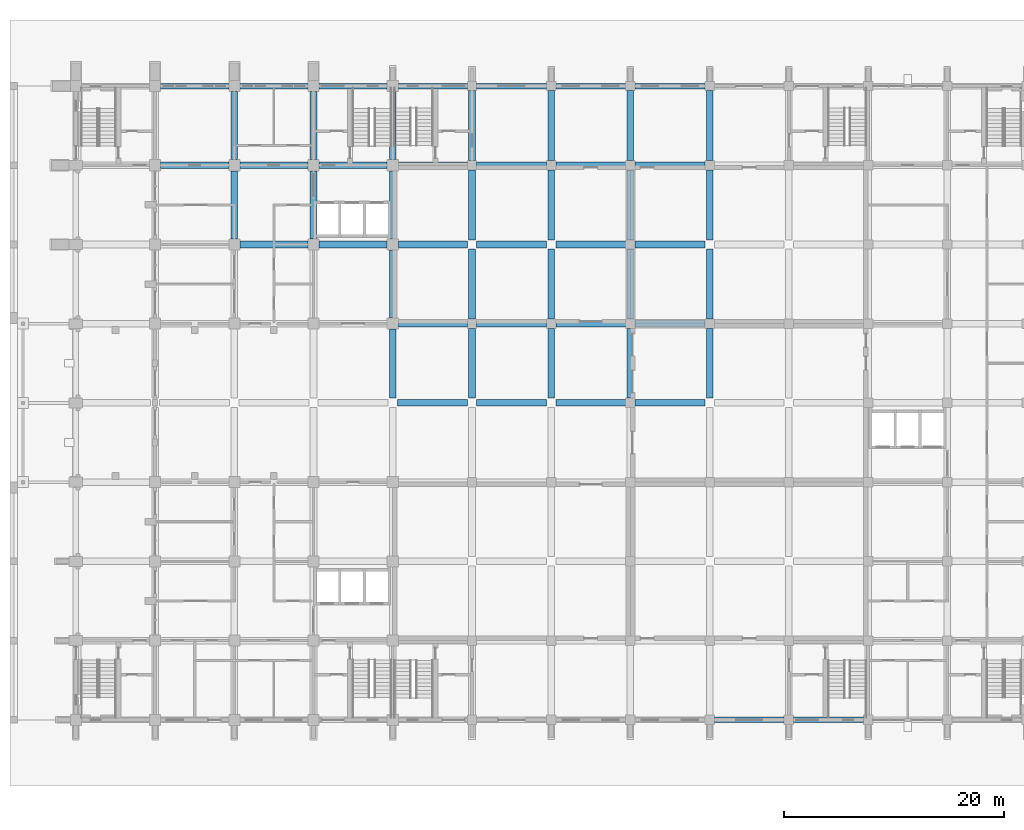
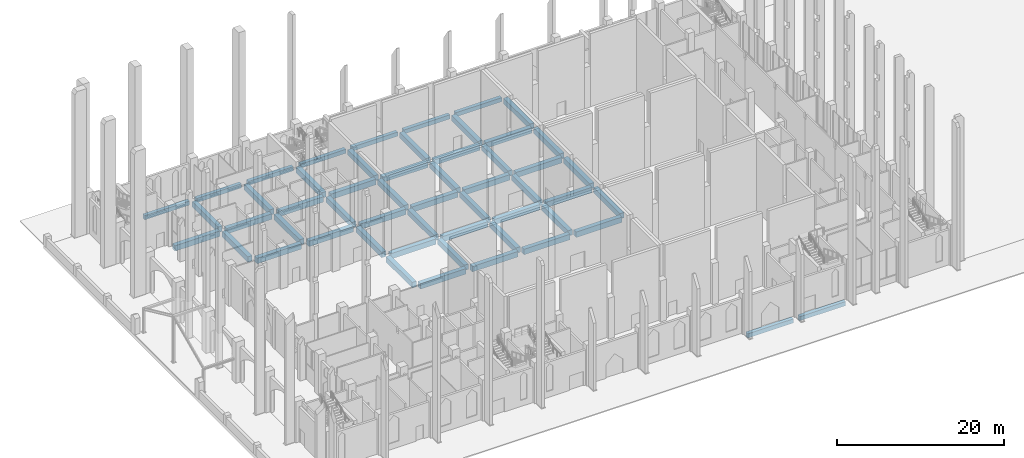
# One storey, part 13 of 50: 54 beams.
"""IFC4 building model written with IfcOpenShell, lengths in metres."""

from ifc_helpers import new_model, si_unit, direction, frame, origin, origin_2d, place, context, subcontext, project, spatial, rectangle, extrude, material, material_profile, profile_set, type_object, element, save


model = new_model("IFC4")

# Units and contexts
model_context = context("Model", 3, precision=1e-05, world=origin(), true_north=direction((0.0, 1.0)))
body_context = subcontext(model_context, "Body", "Model", "MODEL_VIEW")
ifc_project = project(units=[si_unit("LENGTHUNIT", "METRE"), si_unit("AREAUNIT", "SQUARE_METRE"), si_unit("VOLUMEUNIT", "CUBIC_METRE"), si_unit("PLANEANGLEUNIT", "RADIAN"), si_unit("MASSUNIT", "GRAM", prefix="KILO")], contexts=[model_context])

# Site, building, storey
site_placement = place(None, origin())
site = spatial("IfcSite", under=ifc_project, at=site_placement, CompositionType="ELEMENT")
building_placement = place(site_placement, origin())
building = spatial("IfcBuilding", under=site, at=building_placement, Name="Silangan Lancet Faculty of Sciences", CompositionType="ELEMENT")
storey_placement = place(building_placement, origin())
storey = spatial("IfcBuildingStorey", under=building, at=storey_placement, Name="L00", CompositionType="ELEMENT", Elevation=0.0)

# Beams
ifc_material_1 = material(Name="Concrete C40/50", Category="concrete")
ifc_material_profile_1 = material_profile(ifc_material_1, rectangle(XDim=0.5, YDim=0.60009765625, at=origin_2d()), Name="RC 500x600")
ifc_profile_set_1 = profile_set([ifc_material_profile_1], Name="Concrete C40/50")
beam_type_1 = type_object("IfcBeamType", Name="BEAM RC 500x600", PredefinedType="BEAM", material=ifc_profile_set_1)
beam_1_placement = place(storey_placement, frame((58.02490234375, 0.0, -0.60009765625), z_axis=(1.0, 0.0, 0.0), x_axis=(0.0, 1.0, 0.0)))
element("IfcBeam", 1, at=beam_1_placement, inside=storey, type_object=beam_type_1, Name="BM-L00-9A-10A", PredefinedType="BEAM", context=body_context, shape_type="SweptSolid", body=[
    extrude(rectangle(XDim=0.5, YDim=0.60009765625, at=origin_2d()), origin(), (0.0, 0.0, 1.0), 6.35009765625),
])
beam_2_placement = place(storey_placement, frame((65.22509765625, 0.0, -0.60009765625), z_axis=(1.0, 0.0, 0.0), x_axis=(0.0, 1.0, 0.0)))
element("IfcBeam", 2, at=beam_2_placement, inside=storey, type_object=beam_type_1, Name="BM-L00-10A-11A", PredefinedType="BEAM", context=body_context, shape_type="SweptSolid", body=[
    extrude(rectangle(XDim=0.5, YDim=0.60009765625, at=origin_2d()), origin(), (0.0, 0.0, 1.0), 6.349853515625),
])
beam_3_placement = place(storey_placement, frame((7.699951171875, 57.60009765625, -0.60009765625), z_axis=(1.0, 0.0, 0.0), x_axis=(0.0, 1.0, 0.0)))
element("IfcBeam", 3, at=beam_3_placement, inside=storey, type_object=beam_type_1, Name="BM-L00-2I-3I", PredefinedType="BEAM", context=body_context, shape_type="SweptSolid", body=[
    extrude(rectangle(XDim=0.5, YDim=0.60009765625, at=origin_2d()), origin(), (0.0, 0.0, 1.0), 6.199951171875),
])
beam_4_placement = place(storey_placement, frame((14.89990234375, 57.60009765625, -0.60009765625), z_axis=(1.0, 0.0, 0.0), x_axis=(0.0, 1.0, 0.0)))
element("IfcBeam", 4, at=beam_4_placement, inside=storey, type_object=beam_type_1, Name="BM-L00-3I-4I", PredefinedType="BEAM", context=body_context, shape_type="SweptSolid", body=[
    extrude(rectangle(XDim=0.5, YDim=0.60009765625, at=origin_2d()), origin(), (0.0, 0.0, 1.0), 6.2001953125),
])
beam_5_placement = place(storey_placement, frame((22.10009765625, 57.60009765625, -0.60009765625), z_axis=(1.0, 0.0, 0.0), x_axis=(0.0, 1.0, 0.0)))
element("IfcBeam", 5, at=beam_5_placement, inside=storey, type_object=beam_type_1, Name="BM-L00-4I-5I", PredefinedType="BEAM", context=body_context, shape_type="SweptSolid", body=[
    extrude(rectangle(XDim=0.5, YDim=0.60009765625, at=origin_2d()), origin(), (0.0, 0.0, 1.0), 6.199951171875),
])
beam_6_placement = place(storey_placement, frame((29.300048828125, 57.60009765625, -0.60009765625), z_axis=(1.0, 0.0, 0.0), x_axis=(0.0, 1.0, 0.0)))
element("IfcBeam", 6, at=beam_6_placement, inside=storey, type_object=beam_type_1, Name="BM-L00-5I-6I", PredefinedType="BEAM", context=body_context, shape_type="SweptSolid", body=[
    extrude(rectangle(XDim=0.5, YDim=0.60009765625, at=origin_2d()), origin(), (0.0, 0.0, 1.0), 6.27490234375),
])
beam_7_placement = place(storey_placement, frame((36.425048828125, 57.60009765625, -0.60009765625), z_axis=(1.0, 0.0, 0.0), x_axis=(0.0, 1.0, 0.0)))
element("IfcBeam", 7, at=beam_7_placement, inside=storey, type_object=beam_type_1, Name="BM-L00-6I-7I", PredefinedType="BEAM", context=body_context, shape_type="SweptSolid", body=[
    extrude(rectangle(XDim=0.5, YDim=0.60009765625, at=origin_2d()), origin(), (0.0, 0.0, 1.0), 6.349853515625),
])
for number, where, z_axis, x_axis, name in (
    (8, (43.625, 57.60009765625, -0.60009765625), (1.0, 0.0, 0.0), (0.0, 1.0, 0.0), "BM-L00-7I-8I"),
    (9, (50.824951171875, 57.60009765625, -0.60009765625), (1.0, 0.0, 0.0), (0.0, 1.0, 0.0), "BM-L00-8I-9I"),
):
    element("IfcBeam", number, at=place(storey_placement, frame(where, z_axis=z_axis, x_axis=x_axis)), inside=storey, type_object=beam_type_1, Name=name, PredefinedType="BEAM", context=body_context, shape_type="SweptSolid", body=[
        extrude(rectangle(XDim=0.5, YDim=0.60009765625, at=origin_2d()), origin(), (0.0, 0.0, 1.0), 6.35009765625),
    ])
ifc_material_2 = material(Name="Concrete C40/50", Category="concrete")
ifc_material_profile_2 = material_profile(ifc_material_2, rectangle(XDim=0.60009765625, YDim=0.800048828125, at=origin_2d()), Name="RC 600x800")
ifc_profile_set_2 = profile_set([ifc_material_profile_2], Name="Concrete C40/50")
beam_type_2 = type_object("IfcBeamType", Name="BEAM RC 600x800", PredefinedType="BEAM", material=ifc_profile_set_2)
for number, where, z_axis, x_axis, name in (
    (10, (29.22509765625, 28.800048828125, -0.699951171875), (1.0, 0.0, 0.0), (0.0, 1.0, 0.0), "BM-L00-5E-6E"),
    (11, (36.425048828125, 28.800048828125, -0.699951171875), (1.0, 0.0, 0.0), (0.0, 1.0, 0.0), "BM-L00-6E-7E"),
):
    element("IfcBeam", number, at=place(storey_placement, frame(where, z_axis=z_axis, x_axis=x_axis)), inside=storey, type_object=beam_type_2, Name=name, PredefinedType="BEAM", context=body_context, shape_type="SweptSolid", body=[
        extrude(rectangle(XDim=0.60009765625, YDim=0.800048828125, at=origin_2d()), origin(), (0.0, 0.0, 1.0), 6.349853515625),
    ])
for number, where, z_axis, x_axis, name in (
    (12, (43.625, 28.800048828125, -0.699951171875), (1.0, 0.0, 0.0), (0.0, 1.0, 0.0), "BM-L00-7E-8E"),
    (13, (50.824951171875, 28.800048828125, -0.699951171875), (1.0, 0.0, 0.0), (0.0, 1.0, 0.0), "BM-L00-8E-9E"),
):
    element("IfcBeam", number, at=place(storey_placement, frame(where, z_axis=z_axis, x_axis=x_axis)), inside=storey, type_object=beam_type_2, Name=name, PredefinedType="BEAM", context=body_context, shape_type="SweptSolid", body=[
        extrude(rectangle(XDim=0.60009765625, YDim=0.800048828125, at=origin_2d()), origin(), (0.0, 0.0, 1.0), 6.35009765625),
    ])
beam_8_placement = place(storey_placement, frame((29.300048828125, 36.0, -0.699951171875), z_axis=(1.0, 0.0, 0.0), x_axis=(0.0, 1.0, 0.0)))
element("IfcBeam", 14, at=beam_8_placement, inside=storey, type_object=beam_type_2, Name="BM-L00-5F-6F", PredefinedType="BEAM", context=body_context, shape_type="SweptSolid", body=[
    extrude(rectangle(XDim=0.60009765625, YDim=0.800048828125, at=origin_2d()), origin(), (0.0, 0.0, 1.0), 6.27490234375),
])
beam_9_placement = place(storey_placement, frame((36.425048828125, 36.0, -0.699951171875), z_axis=(1.0, 0.0, 0.0), x_axis=(0.0, 1.0, 0.0)))
element("IfcBeam", 15, at=beam_9_placement, inside=storey, type_object=beam_type_2, Name="BM-L00-6F-7F", PredefinedType="BEAM", context=body_context, shape_type="SweptSolid", body=[
    extrude(rectangle(XDim=0.60009765625, YDim=0.800048828125, at=origin_2d()), origin(), (0.0, 0.0, 1.0), 6.349853515625),
])
for number, where, z_axis, x_axis, name in (
    (16, (43.625, 36.0, -0.699951171875), (1.0, 0.0, 0.0), (0.0, 1.0, 0.0), "BM-L00-7F-8F"),
    (17, (50.824951171875, 36.0, -0.699951171875), (1.0, 0.0, 0.0), (0.0, 1.0, 0.0), "BM-L00-8F-9F"),
):
    element("IfcBeam", number, at=place(storey_placement, frame(where, z_axis=z_axis, x_axis=x_axis)), inside=storey, type_object=beam_type_2, Name=name, PredefinedType="BEAM", context=body_context, shape_type="SweptSolid", body=[
        extrude(rectangle(XDim=0.60009765625, YDim=0.800048828125, at=origin_2d()), origin(), (0.0, 0.0, 1.0), 6.35009765625),
    ])
beam_10_placement = place(storey_placement, frame((14.89990234375, 43.199951171875, -0.699951171875), z_axis=(1.0, 0.0, 0.0), x_axis=(0.0, 1.0, 0.0)))
element("IfcBeam", 18, at=beam_10_placement, inside=storey, type_object=beam_type_2, Name="BM-L00-3G-4G", PredefinedType="BEAM", context=body_context, shape_type="SweptSolid", body=[
    extrude(rectangle(XDim=0.60009765625, YDim=0.800048828125, at=origin_2d()), origin(), (0.0, 0.0, 1.0), 6.2001953125),
])
beam_11_placement = place(storey_placement, frame((22.10009765625, 43.199951171875, -0.699951171875), z_axis=(1.0, 0.0, 0.0), x_axis=(0.0, 1.0, 0.0)))
element("IfcBeam", 19, at=beam_11_placement, inside=storey, type_object=beam_type_2, Name="BM-L00-4G-5G", PredefinedType="BEAM", context=body_context, shape_type="SweptSolid", body=[
    extrude(rectangle(XDim=0.60009765625, YDim=0.800048828125, at=origin_2d()), origin(), (0.0, 0.0, 1.0), 6.199951171875),
])
beam_12_placement = place(storey_placement, frame((29.300048828125, 43.199951171875, -0.699951171875), z_axis=(1.0, 0.0, 0.0), x_axis=(0.0, 1.0, 0.0)))
element("IfcBeam", 20, at=beam_12_placement, inside=storey, type_object=beam_type_2, Name="BM-L00-5G-6G", PredefinedType="BEAM", context=body_context, shape_type="SweptSolid", body=[
    extrude(rectangle(XDim=0.60009765625, YDim=0.800048828125, at=origin_2d()), origin(), (0.0, 0.0, 1.0), 6.27490234375),
])
beam_13_placement = place(storey_placement, frame((36.425048828125, 43.199951171875, -0.699951171875), z_axis=(1.0, 0.0, 0.0), x_axis=(0.0, 1.0, 0.0)))
element("IfcBeam", 21, at=beam_13_placement, inside=storey, type_object=beam_type_2, Name="BM-L00-6G-7G", PredefinedType="BEAM", context=body_context, shape_type="SweptSolid", body=[
    extrude(rectangle(XDim=0.60009765625, YDim=0.800048828125, at=origin_2d()), origin(), (0.0, 0.0, 1.0), 6.349853515625),
])
for number, where, z_axis, x_axis, name in (
    (22, (43.625, 43.199951171875, -0.699951171875), (1.0, 0.0, 0.0), (0.0, 1.0, 0.0), "BM-L00-7G-8G"),
    (23, (50.824951171875, 43.199951171875, -0.699951171875), (1.0, 0.0, 0.0), (0.0, 1.0, 0.0), "BM-L00-8G-9G"),
):
    element("IfcBeam", number, at=place(storey_placement, frame(where, z_axis=z_axis, x_axis=x_axis)), inside=storey, type_object=beam_type_2, Name=name, PredefinedType="BEAM", context=body_context, shape_type="SweptSolid", body=[
        extrude(rectangle(XDim=0.60009765625, YDim=0.800048828125, at=origin_2d()), origin(), (0.0, 0.0, 1.0), 6.35009765625),
    ])
beam_14_placement = place(storey_placement, frame((7.699951171875, 50.39990234375, -0.699951171875), z_axis=(1.0, 0.0, 0.0), x_axis=(0.0, 1.0, 0.0)))
element("IfcBeam", 24, at=beam_14_placement, inside=storey, type_object=beam_type_2, Name="BM-L00-2H-3H", PredefinedType="BEAM", context=body_context, shape_type="SweptSolid", body=[
    extrude(rectangle(XDim=0.60009765625, YDim=0.800048828125, at=origin_2d()), origin(), (0.0, 0.0, 1.0), 6.199951171875),
])
beam_15_placement = place(storey_placement, frame((14.89990234375, 50.39990234375, -0.699951171875), z_axis=(1.0, 0.0, 0.0), x_axis=(0.0, 1.0, 0.0)))
element("IfcBeam", 25, at=beam_15_placement, inside=storey, type_object=beam_type_2, Name="BM-L00-3H-4H", PredefinedType="BEAM", context=body_context, shape_type="SweptSolid", body=[
    extrude(rectangle(XDim=0.60009765625, YDim=0.800048828125, at=origin_2d()), origin(), (0.0, 0.0, 1.0), 6.2001953125),
])
beam_16_placement = place(storey_placement, frame((22.10009765625, 50.39990234375, -0.699951171875), z_axis=(1.0, 0.0, 0.0), x_axis=(0.0, 1.0, 0.0)))
element("IfcBeam", 26, at=beam_16_placement, inside=storey, type_object=beam_type_2, Name="BM-L00-4H-5H", PredefinedType="BEAM", context=body_context, shape_type="SweptSolid", body=[
    extrude(rectangle(XDim=0.60009765625, YDim=0.800048828125, at=origin_2d()), origin(), (0.0, 0.0, 1.0), 6.199951171875),
])
beam_17_placement = place(storey_placement, frame((29.300048828125, 50.39990234375, -0.699951171875), z_axis=(1.0, 0.0, 0.0), x_axis=(0.0, 1.0, 0.0)))
element("IfcBeam", 27, at=beam_17_placement, inside=storey, type_object=beam_type_2, Name="BM-L00-5H-6H", PredefinedType="BEAM", context=body_context, shape_type="SweptSolid", body=[
    extrude(rectangle(XDim=0.60009765625, YDim=0.800048828125, at=origin_2d()), origin(), (0.0, 0.0, 1.0), 6.27490234375),
])
beam_18_placement = place(storey_placement, frame((36.425048828125, 50.39990234375, -0.699951171875), z_axis=(1.0, 0.0, 0.0), x_axis=(0.0, 1.0, 0.0)))
element("IfcBeam", 28, at=beam_18_placement, inside=storey, type_object=beam_type_2, Name="BM-L00-6H-7H", PredefinedType="BEAM", context=body_context, shape_type="SweptSolid", body=[
    extrude(rectangle(XDim=0.60009765625, YDim=0.800048828125, at=origin_2d()), origin(), (0.0, 0.0, 1.0), 6.349853515625),
])
for number, where, z_axis, x_axis, name in (
    (29, (43.625, 50.39990234375, -0.699951171875), (1.0, 0.0, 0.0), (0.0, 1.0, 0.0), "BM-L00-7H-8H"),
    (30, (50.824951171875, 50.39990234375, -0.699951171875), (1.0, 0.0, 0.0), (0.0, 1.0, 0.0), "BM-L00-8H-9H"),
):
    element("IfcBeam", number, at=place(storey_placement, frame(where, z_axis=z_axis, x_axis=x_axis)), inside=storey, type_object=beam_type_2, Name=name, PredefinedType="BEAM", context=body_context, shape_type="SweptSolid", body=[
        extrude(rectangle(XDim=0.60009765625, YDim=0.800048828125, at=origin_2d()), origin(), (0.0, 0.0, 1.0), 6.35009765625),
    ])
beam_19_placement = place(storey_placement, frame((14.39990234375, 43.699951171875, -0.699951171875), z_axis=(0.0, 1.0, 0.0), x_axis=(-1.0, 0.0, 0.0)))
element("IfcBeam", 31, at=beam_19_placement, inside=storey, type_object=beam_type_2, Name="BM-L00-3G-3H", PredefinedType="BEAM", context=body_context, shape_type="SweptSolid", body=[
    extrude(rectangle(XDim=0.60009765625, YDim=0.800048828125, at=origin_2d()), origin(), (0.0, 0.0, 1.0), 6.199951171875),
])
beam_20_placement = place(storey_placement, frame((14.39990234375, 50.89990234375, -0.699951171875), z_axis=(0.0, 1.0, 0.0), x_axis=(-1.0, 0.0, 0.0)))
element("IfcBeam", 32, at=beam_20_placement, inside=storey, type_object=beam_type_2, Name="BM-L00-3H-3I", PredefinedType="BEAM", context=body_context, shape_type="SweptSolid", body=[
    extrude(rectangle(XDim=0.60009765625, YDim=0.800048828125, at=origin_2d()), origin(), (0.0, 0.0, 1.0), 6.2001953125),
])
beam_21_placement = place(storey_placement, frame((21.60009765625, 43.699951171875, -0.699951171875), z_axis=(0.0, 1.0, 0.0), x_axis=(-1.0, 0.0, 0.0)))
element("IfcBeam", 33, at=beam_21_placement, inside=storey, type_object=beam_type_2, Name="BM-L00-4G-4H", PredefinedType="BEAM", context=body_context, shape_type="SweptSolid", body=[
    extrude(rectangle(XDim=0.60009765625, YDim=0.800048828125, at=origin_2d()), origin(), (0.0, 0.0, 1.0), 6.199951171875),
])
beam_22_placement = place(storey_placement, frame((21.60009765625, 50.89990234375, -0.699951171875), z_axis=(0.0, 1.0, 0.0), x_axis=(-1.0, 0.0, 0.0)))
element("IfcBeam", 34, at=beam_22_placement, inside=storey, type_object=beam_type_2, Name="BM-L00-4H-4I", PredefinedType="BEAM", context=body_context, shape_type="SweptSolid", body=[
    extrude(rectangle(XDim=0.60009765625, YDim=0.800048828125, at=origin_2d()), origin(), (0.0, 0.0, 1.0), 6.2001953125),
])
beam_23_placement = place(storey_placement, frame((28.800048828125, 29.22509765625, -0.699951171875), z_axis=(0.0, 1.0, 0.0), x_axis=(-1.0, 0.0, 0.0)))
element("IfcBeam", 35, at=beam_23_placement, inside=storey, type_object=beam_type_2, Name="BM-L00-5E-5F", PredefinedType="BEAM", context=body_context, shape_type="SweptSolid", body=[
    extrude(rectangle(XDim=0.60009765625, YDim=0.800048828125, at=origin_2d()), origin(), (0.0, 0.0, 1.0), 6.27490234375),
])
for number, where, z_axis, x_axis, name in (
    (36, (28.800048828125, 36.5, -0.699951171875), (0.0, 1.0, 0.0), (-1.0, 0.0, 0.0), "BM-L00-5F-5G"),
    (37, (28.800048828125, 43.699951171875, -0.699951171875), (0.0, 1.0, 0.0), (-1.0, 0.0, 0.0), "BM-L00-5G-5H"),
):
    element("IfcBeam", number, at=place(storey_placement, frame(where, z_axis=z_axis, x_axis=x_axis)), inside=storey, type_object=beam_type_2, Name=name, PredefinedType="BEAM", context=body_context, shape_type="SweptSolid", body=[
        extrude(rectangle(XDim=0.60009765625, YDim=0.800048828125, at=origin_2d()), origin(), (0.0, 0.0, 1.0), 6.199951171875),
    ])
beam_24_placement = place(storey_placement, frame((28.800048828125, 50.89990234375, -0.699951171875), z_axis=(0.0, 1.0, 0.0), x_axis=(-1.0, 0.0, 0.0)))
element("IfcBeam", 38, at=beam_24_placement, inside=storey, type_object=beam_type_2, Name="BM-L00-5H-5I", PredefinedType="BEAM", context=body_context, shape_type="SweptSolid", body=[
    extrude(rectangle(XDim=0.60009765625, YDim=0.800048828125, at=origin_2d()), origin(), (0.0, 0.0, 1.0), 6.2001953125),
])
for number, where, z_axis, x_axis, name in (
    (39, (36.0, 29.22509765625, -0.699951171875), (0.0, 1.0, 0.0), (-1.0, 0.0, 0.0), "BM-L00-6E-6F"),
    (40, (36.0, 36.425048828125, -0.699951171875), (0.0, 1.0, 0.0), (-1.0, 0.0, 0.0), "BM-L00-6F-6G"),
):
    element("IfcBeam", number, at=place(storey_placement, frame(where, z_axis=z_axis, x_axis=x_axis)), inside=storey, type_object=beam_type_2, Name=name, PredefinedType="BEAM", context=body_context, shape_type="SweptSolid", body=[
        extrude(rectangle(XDim=0.60009765625, YDim=0.800048828125, at=origin_2d()), origin(), (0.0, 0.0, 1.0), 6.349853515625),
    ])
for number, where, z_axis, x_axis, name in (
    (41, (36.0, 43.625, -0.699951171875), (0.0, 1.0, 0.0), (-1.0, 0.0, 0.0), "BM-L00-6G-6H"),
    (42, (36.0, 50.824951171875, -0.699951171875), (0.0, 1.0, 0.0), (-1.0, 0.0, 0.0), "BM-L00-6H-6I"),
):
    element("IfcBeam", number, at=place(storey_placement, frame(where, z_axis=z_axis, x_axis=x_axis)), inside=storey, type_object=beam_type_2, Name=name, PredefinedType="BEAM", context=body_context, shape_type="SweptSolid", body=[
        extrude(rectangle(XDim=0.60009765625, YDim=0.800048828125, at=origin_2d()), origin(), (0.0, 0.0, 1.0), 6.35009765625),
    ])
for number, where, z_axis, x_axis, name in (
    (43, (43.199951171875, 29.22509765625, -0.699951171875), (0.0, 1.0, 0.0), (-1.0, 0.0, 0.0), "BM-L00-7E-7F"),
    (44, (43.199951171875, 36.425048828125, -0.699951171875), (0.0, 1.0, 0.0), (-1.0, 0.0, 0.0), "BM-L00-7F-7G"),
):
    element("IfcBeam", number, at=place(storey_placement, frame(where, z_axis=z_axis, x_axis=x_axis)), inside=storey, type_object=beam_type_2, Name=name, PredefinedType="BEAM", context=body_context, shape_type="SweptSolid", body=[
        extrude(rectangle(XDim=0.60009765625, YDim=0.800048828125, at=origin_2d()), origin(), (0.0, 0.0, 1.0), 6.349853515625),
    ])
for number, where, z_axis, x_axis, name in (
    (45, (43.199951171875, 43.625, -0.699951171875), (0.0, 1.0, 0.0), (-1.0, 0.0, 0.0), "BM-L00-7G-7H"),
    (46, (43.199951171875, 50.824951171875, -0.699951171875), (0.0, 1.0, 0.0), (-1.0, 0.0, 0.0), "BM-L00-7H-7I"),
):
    element("IfcBeam", number, at=place(storey_placement, frame(where, z_axis=z_axis, x_axis=x_axis)), inside=storey, type_object=beam_type_2, Name=name, PredefinedType="BEAM", context=body_context, shape_type="SweptSolid", body=[
        extrude(rectangle(XDim=0.60009765625, YDim=0.800048828125, at=origin_2d()), origin(), (0.0, 0.0, 1.0), 6.35009765625),
    ])
for number, where, z_axis, x_axis, name in (
    (47, (50.39990234375, 29.22509765625, -0.699951171875), (0.0, 1.0, 0.0), (-1.0, 0.0, 0.0), "BM-L00-8E-8F"),
    (48, (50.39990234375, 36.425048828125, -0.699951171875), (0.0, 1.0, 0.0), (-1.0, 0.0, 0.0), "BM-L00-8F-8G"),
):
    element("IfcBeam", number, at=place(storey_placement, frame(where, z_axis=z_axis, x_axis=x_axis)), inside=storey, type_object=beam_type_2, Name=name, PredefinedType="BEAM", context=body_context, shape_type="SweptSolid", body=[
        extrude(rectangle(XDim=0.60009765625, YDim=0.800048828125, at=origin_2d()), origin(), (0.0, 0.0, 1.0), 6.349853515625),
    ])
for number, where, z_axis, x_axis, name in (
    (49, (50.39990234375, 43.625, -0.699951171875), (0.0, 1.0, 0.0), (-1.0, 0.0, 0.0), "BM-L00-8G-8H"),
    (50, (50.39990234375, 50.824951171875, -0.699951171875), (0.0, 1.0, 0.0), (-1.0, 0.0, 0.0), "BM-L00-8H-8I"),
):
    element("IfcBeam", number, at=place(storey_placement, frame(where, z_axis=z_axis, x_axis=x_axis)), inside=storey, type_object=beam_type_2, Name=name, PredefinedType="BEAM", context=body_context, shape_type="SweptSolid", body=[
        extrude(rectangle(XDim=0.60009765625, YDim=0.800048828125, at=origin_2d()), origin(), (0.0, 0.0, 1.0), 6.35009765625),
    ])
for number, where, z_axis, x_axis, name in (
    (51, (57.60009765625, 29.22509765625, -0.699951171875), (0.0, 1.0, 0.0), (-1.0, 0.0, 0.0), "BM-L00-9E-9F"),
    (52, (57.60009765625, 36.425048828125, -0.699951171875), (0.0, 1.0, 0.0), (-1.0, 0.0, 0.0), "BM-L00-9F-9G"),
):
    element("IfcBeam", number, at=place(storey_placement, frame(where, z_axis=z_axis, x_axis=x_axis)), inside=storey, type_object=beam_type_2, Name=name, PredefinedType="BEAM", context=body_context, shape_type="SweptSolid", body=[
        extrude(rectangle(XDim=0.60009765625, YDim=0.800048828125, at=origin_2d()), origin(), (0.0, 0.0, 1.0), 6.349853515625),
    ])
for number, where, z_axis, x_axis, name in (
    (53, (57.60009765625, 43.625, -0.699951171875), (0.0, 1.0, 0.0), (-1.0, 0.0, 0.0), "BM-L00-9G-9H"),
    (54, (57.60009765625, 50.824951171875, -0.699951171875), (0.0, 1.0, 0.0), (-1.0, 0.0, 0.0), "BM-L00-9H-9I"),
):
    element("IfcBeam", number, at=place(storey_placement, frame(where, z_axis=z_axis, x_axis=x_axis)), inside=storey, type_object=beam_type_2, Name=name, PredefinedType="BEAM", context=body_context, shape_type="SweptSolid", body=[
        extrude(rectangle(XDim=0.60009765625, YDim=0.800048828125, at=origin_2d()), origin(), (0.0, 0.0, 1.0), 6.35009765625),
    ])

save(model, "model.ifc")
